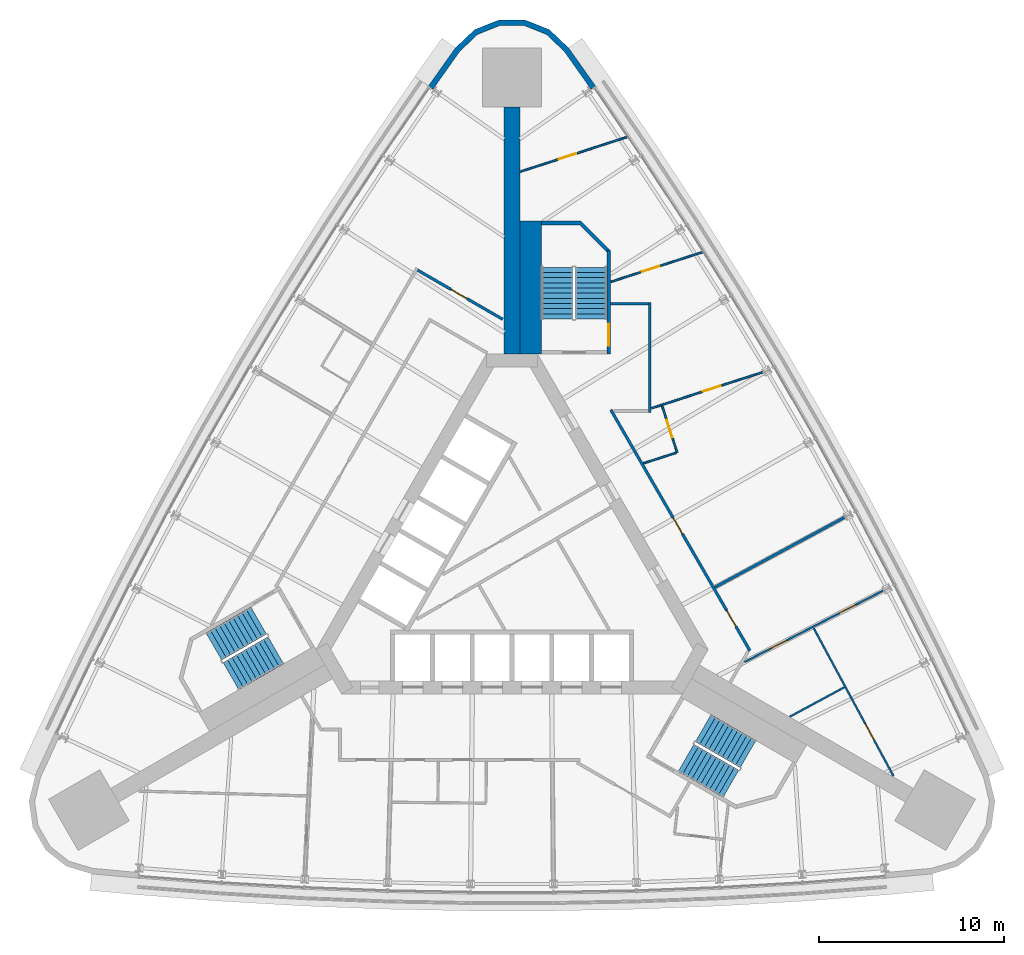
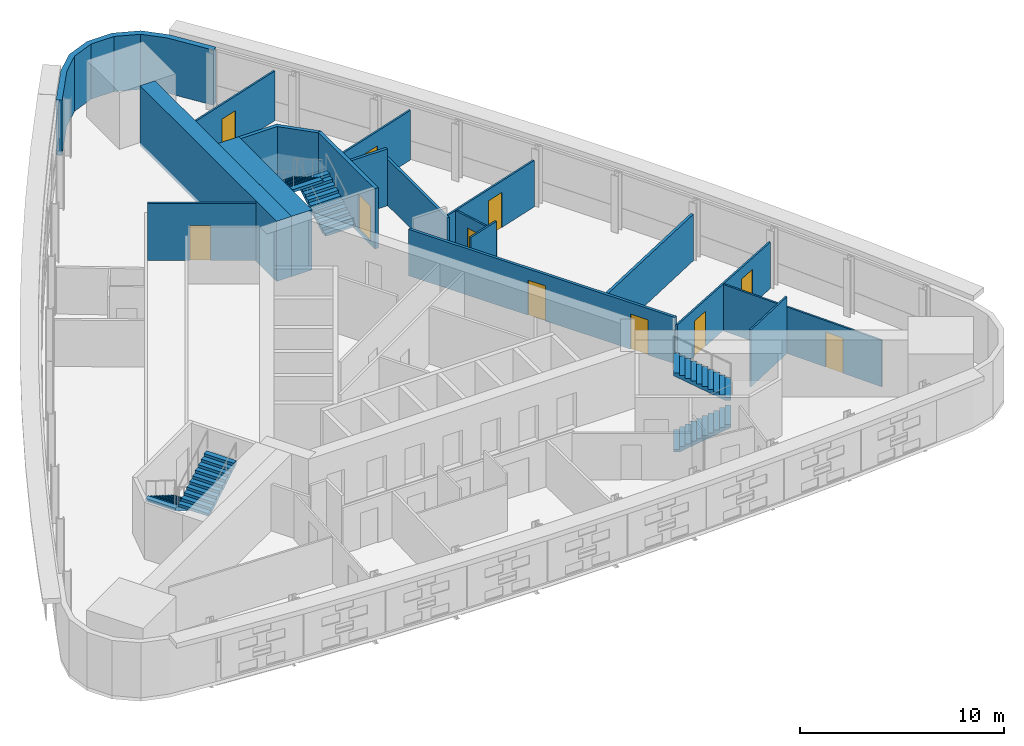
# One storey, part 11 of 14: 18 walls, 11 doors, 6 stair flights, 11 openings, 3 elements without a shape of their own.
"""IFC4 building model written with IfcOpenShell, lengths in metres."""

import ifcopenshell
import ifcopenshell.guid

model = None  # the IFC model being written
_history = None  # IfcOwnerHistory: only IFC2X3 demands one
_inside = {}  # id of a spatial element -> (the spatial element, [elements in it])
_under = {}  # id of a project, library or spatial element -> (it, [spatial elements below it])
_declared = {}  # id of a project -> (the project, [libraries it declares])
_typed = {}  # id of a type object -> (the type object, [elements of that type])
_made_of = {}  # id of a material, layer set ... -> (it, [elements and type objects made of it])


def new_model(schema):
    """Start an empty IFC model of exactly this schema.

    Asked for "IFC4X3", IfcOpenShell would pick the latest addendum, in which some entities
    have other attributes; the version numbers below select the first issue.
    IFC2X3 requires an IfcOwnerHistory on every rooted entity: one is made here for all.
    """
    global model, _history
    if schema == "IFC4X3":
        model = ifcopenshell.file(schema_version=(4, 3, 0, 0))
    else:
        model = ifcopenshell.file(schema=schema)
    _inside.clear()
    _under.clear()
    _declared.clear()
    _typed.clear()
    _made_of.clear()
    _history = None
    if model.schema == "IFC2X3":
        org = make("IfcOrganization", Name="unknown")
        user = make(
            "IfcPersonAndOrganization",
            ThePerson=make("IfcPerson", FamilyName="unknown"),
            TheOrganization=org,
        )
        app = make(
            "IfcApplication",
            ApplicationDeveloper=org,
            Version="unknown",
            ApplicationFullName="unknown",
            ApplicationIdentifier="unknown",
        )
        _history = make(
            "IfcOwnerHistory",
            OwningUser=user,
            OwningApplication=app,
            ChangeAction="ADDED",
            CreationDate=0,
        )
    return model


def make(cls, **values):
    """One entity of the class cls with the attributes given. An attribute that is None is left unset."""
    return model.create_entity(
        cls, **{name: value for name, value in values.items() if value is not None}
    )


def rooted(cls, **values):
    """An entity with a GlobalId (a new one), such as an element, a storey or a relation."""
    return make(cls, GlobalId=ifcopenshell.guid.new(), OwnerHistory=_history, **values)


def si_unit(unit_type, name, prefix=None):
    """IfcSIUnit, for example si_unit("LENGTHUNIT", "METRE", prefix="MILLI")."""
    return make("IfcSIUnit", UnitType=unit_type, Prefix=prefix, Name=name)


def assignment(units):
    """IfcUnitAssignment: the units of a project."""
    return None if units is None else make("IfcUnitAssignment", Units=units)


def point(xyz):
    """IfcCartesianPoint."""
    return None if xyz is None else make("IfcCartesianPoint", Coordinates=xyz)


def direction(xyz):
    """IfcDirection."""
    return None if xyz is None else make("IfcDirection", DirectionRatios=xyz)


def frame(location, z_axis=None, x_axis=None):
    """IfcAxis2Placement3D, a coordinate frame: its origin and axes. An axis left out is left unset."""
    return make(
        "IfcAxis2Placement3D",
        Location=point(location),
        Axis=direction(z_axis),
        RefDirection=direction(x_axis),
    )


def frame_2d(location, x_axis=None):
    """IfcAxis2Placement2D, a coordinate frame in the plane: its origin and x axis."""
    return make(
        "IfcAxis2Placement2D", Location=point(location), RefDirection=direction(x_axis)
    )


def origin():
    """The frame at (0, 0, 0) with its axes left unset."""
    return frame((0.0, 0.0, 0.0))


def place(relative_to, where):
    """IfcLocalPlacement: puts the frame where relative to a parent placement (None: the world)."""
    return make(
        "IfcLocalPlacement", PlacementRelTo=relative_to, RelativePlacement=where
    )


def context(
    kind, dimensions, precision=None, world=None, true_north=None, identifier=None
):
    """IfcGeometricRepresentationContext, for example the 3D "Model" context."""
    return make(
        "IfcGeometricRepresentationContext",
        ContextIdentifier=identifier,
        ContextType=kind,
        CoordinateSpaceDimension=dimensions,
        Precision=precision,
        WorldCoordinateSystem=world,
        TrueNorth=true_north,
    )


def subcontext(parent, identifier, kind, view, scale=None):
    """IfcGeometricRepresentationSubContext, for example "Body" below "Model"."""
    return make(
        "IfcGeometricRepresentationSubContext",
        ContextIdentifier=identifier,
        ContextType=kind,
        ParentContext=parent,
        TargetScale=scale,
        TargetView=view,
    )


def project(units=None, contexts=None):
    """IfcProject with its units and contexts."""
    return rooted(
        "IfcProject",
        Name="project",
        RepresentationContexts=contexts,
        UnitsInContext=assignment(units),
    )


def spatial(cls, under=None, at=None, **own):
    """A site, building, storey or space (cls), placed at a placement, below another one or the project."""
    s = rooted(cls, ObjectPlacement=at, **own)
    if under is not None:
        _under.setdefault(under.id(), (under, []))[1].append(s)
    return s


def polyline(points):
    """IfcPolyline through the points."""
    return make("IfcPolyline", Points=[point(p) for p in points])


def profile(cls, at=None, kind="AREA", **sizes):
    """A parametric profile (cls). Its sizes go by their IFC names, for example OverallWidth=200.0."""
    return make(cls, ProfileType=kind, Position=at, **sizes)


def rectangle(**sizes):
    """IfcRectangleProfileDef."""
    return profile("IfcRectangleProfileDef", **sizes)


def outline(outer, holes=None, kind="AREA"):
    """IfcArbitraryClosedProfileDef: a profile drawn as a closed curve; with holes, ...WithVoids."""
    if holes is None:
        return make("IfcArbitraryClosedProfileDef", ProfileType=kind, OuterCurve=outer)
    return make(
        "IfcArbitraryProfileDefWithVoids",
        ProfileType=kind,
        OuterCurve=outer,
        InnerCurves=holes,
    )


def extrude(swept, where, along, depth):
    """IfcExtrudedAreaSolid: the profile swept, set in the frame where, extruded along a direction by depth."""
    return make(
        "IfcExtrudedAreaSolid",
        SweptArea=swept,
        Position=where,
        ExtrudedDirection=direction(along),
        Depth=depth,
    )


def shape(context_of_items, identifier, shape_type, items):
    """IfcShapeRepresentation: the items that make up one representation, for example the "Body"."""
    return make(
        "IfcShapeRepresentation",
        ContextOfItems=context_of_items,
        RepresentationIdentifier=identifier,
        RepresentationType=shape_type,
        Items=items,
    )


def material(Name=None, Category=None):
    """IfcMaterial."""
    return make("IfcMaterial", Name=Name, Category=Category)


def layer(
    of_material, thickness, ventilated=None, Name=None, Category=None, Priority=None
):
    """IfcMaterialLayer: one layer of a wall or slab, of a material (None: an air gap)."""
    return make(
        "IfcMaterialLayer",
        Material=of_material,
        LayerThickness=thickness,
        IsVentilated=ventilated,
        Name=Name,
        Category=Category,
        Priority=Priority,
    )


def layer_set(layers, Name=None):
    """IfcMaterialLayerSet."""
    return make("IfcMaterialLayerSet", MaterialLayers=layers, LayerSetName=Name)


def made_of(thing, what):
    """Note that an element or type object is made of a material, layer set ...; save() writes the relation."""
    if what is not None:
        _made_of.setdefault(what.id(), (what, []))[1].append(thing)
    return thing


def type_object(cls, material=None, **own):
    """A type object (cls), such as IfcWallType, which elements share."""
    return made_of(rooted(cls, **own), material)


def element(
    cls,
    number,
    at=None,
    inside=None,
    cuts=None,
    type_object=None,
    material=None,
    context=None,
    identifier="Body",
    shape_type=None,
    held_by="IfcProductDefinitionShape",
    body=None,
    shapes=None,
    **own,
):
    """One element of the class cls, such as IfcWall. Its Tag is "e" and its number.

    at: its placement. inside: the storey or other place that contains it. cuts: it is an
    opening in that element (IfcRelVoidsElement). A single representation is given by context,
    identifier, shape_type and body (its items); several are given by shapes. held_by: the class
    of the entity that holds the representations. save() writes the other relations.
    """
    e = rooted(cls, Tag="e%d" % number, ObjectPlacement=at, **own)
    if body is not None:
        shapes = [shape(context, identifier, shape_type, body)]
    if shapes is not None:
        e.Representation = make(held_by, Representations=shapes)
    if inside is not None:
        _inside.setdefault(inside.id(), (inside, []))[1].append(e)
    if cuts is not None:
        rooted(
            "IfcRelVoidsElement", RelatingBuildingElement=cuts, RelatedOpeningElement=e
        )
    if type_object is not None:
        _typed.setdefault(type_object.id(), (type_object, []))[1].append(e)
    return made_of(e, material)


def fill(opening, filler):
    """IfcRelFillsElement: the door or window that sits in an opening."""
    return rooted(
        "IfcRelFillsElement",
        RelatingOpeningElement=opening,
        RelatedBuildingElement=filler,
    )


def aggregate(whole, parts):
    """IfcRelAggregates: a whole, such as a stair, and the parts it consists of."""
    return rooted("IfcRelAggregates", RelatingObject=whole, RelatedObjects=parts)


def save(model, path):
    """Write the relations noted so far, then the file.

    IfcRelAggregates (storeys below a building ...), IfcRelContainedInSpatialStructure (elements
    in a storey), IfcRelDefinesByType, IfcRelAssociatesMaterial and IfcRelDeclares: one each for
    every whole, place, type object, material and project.
    """
    for whole, parts in _under.values():
        aggregate(whole, parts)
    for where, things in _inside.values():
        rooted(
            "IfcRelContainedInSpatialStructure",
            RelatedElements=things,
            RelatingStructure=where,
        )
    for kind, things in _typed.values():
        rooted("IfcRelDefinesByType", RelatedObjects=things, RelatingType=kind)
    for what, things in _made_of.values():
        rooted("IfcRelAssociatesMaterial", RelatedObjects=things, RelatingMaterial=what)
    for by, libraries in _declared.values():
        rooted("IfcRelDeclares", RelatingContext=by, RelatedDefinitions=libraries)
    model.write(path)


model = new_model("IFC4")

# Units and contexts
model_context = context("Model", 3, precision=1e-05, world=origin(), true_north=direction((0.0, 1.0)))
body_context = subcontext(model_context, "Body", "Model", "MODEL_VIEW")
ifc_project = project(units=[si_unit("LENGTHUNIT", "METRE"), si_unit("AREAUNIT", "SQUARE_METRE"), si_unit("VOLUMEUNIT", "CUBIC_METRE"), si_unit("PLANEANGLEUNIT", "RADIAN"), si_unit("MASSUNIT", "GRAM", prefix="KILO")], contexts=[model_context])

# Site, building, storey
site_placement = place(None, origin())
site = spatial("IfcSite", under=ifc_project, at=site_placement, CompositionType="ELEMENT")
building_placement = place(site_placement, origin())
building = spatial("IfcBuilding", under=site, at=building_placement, Name="Noor Cloister Tower", CompositionType="ELEMENT")
storey_placement = place(building_placement, frame((0.0, 0.0, 72.60009765625)))
storey = spatial("IfcBuildingStorey", under=building, at=storey_placement, Name="L18", CompositionType="ELEMENT", Elevation=72.60009765625)

# Wall
ifc_material_1 = material(Name="Concrete C80/95", Category="concrete")
ifc_layer_1 = layer(ifc_material_1, 0.85009765625)
ifc_layer_set_1 = layer_set([ifc_layer_1], Name="Buttress wall 850 C80/95")
wall_type_1 = type_object("IfcWallType", Name="Buttress wall 850 C80/95", PredefinedType="SHEAR", material=ifc_layer_set_1)
wall_1_placement = place(storey_placement, frame((0.0, 11.456298828125, -0.2001953125), z_axis=(0.0, 0.0, 1.0), x_axis=(0.0, 1.0, 0.0)))
element("IfcWall", 1, at=wall_1_placement, inside=storey, type_object=wall_type_1, Name="Buttress wall N L18", PredefinedType="SHEAR", context=body_context, shape_type="SweptSolid", body=[
    extrude(rectangle(XDim=13.381591796875, YDim=0.85009765625, at=frame_2d((6.69091796875, 0.0))), origin(), (0.0, 0.0, 1.0), 3.60009765625),
])

# Wall, openings, doors
ifc_material_2 = material(Name="Gypsum board partition on steel studs, 150 mm", Category="steel")
ifc_layer_2 = layer(ifc_material_2, 0.14990234375)
ifc_layer_set_2 = layer_set([ifc_layer_2], Name="Flat wall 150")
wall_type_2 = type_object("IfcWallType", Name="Flat wall 150", PredefinedType="PARTITIONING", material=ifc_layer_set_2)
wall_2_placement = place(storey_placement, frame((5.34619140625, 8.4462890625, 0.0), z_axis=(0.0, 0.0, 1.0), x_axis=(0.500008781656, -0.866020333634, 0.0)))
wall_2 = element("IfcWall", 2, at=wall_2_placement, inside=storey, type_object=wall_type_2, Name="Flat wall 150 L18 003", PredefinedType="PARTITIONING", context=body_context, shape_type="SweptSolid", body=[
    extrude(rectangle(XDim=15.056884765625, YDim=0.14990234375, at=frame_2d((7.5283203125, 0.0))), origin(), (0.0, 0.0, 1.0), 2.77783203125),
])
opening_1_placement = place(wall_2_placement, frame((12.55029296875, 0.0, 0.0)))
opening_1 = element("IfcOpeningElement", 3, at=opening_1_placement, cuts=wall_2, Name="Opening L18-004", PredefinedType="OPENING", context=body_context, shape_type="SweptSolid", body=[
    extrude(rectangle(XDim=1.0, YDim=2.10009765625, at=frame_2d((0.5, 1.050048828125))), frame((0.0, 0.0849609375, 0.0), z_axis=(0.0, -1.0, 0.0), x_axis=(1.0, 0.0, 0.0)), (0.0, 0.0, 1.0), 0.169921875),
])
opening_2_placement = place(wall_2_placement, frame((6.752685546875, 0.0, 0.0)))
opening_2 = element("IfcOpeningElement", 4, at=opening_2_placement, cuts=wall_2, Name="Opening L18-005", PredefinedType="OPENING", context=body_context, shape_type="SweptSolid", body=[
    extrude(rectangle(XDim=1.0, YDim=2.10009765625, at=frame_2d((0.5, 1.050048828125))), frame((0.0, 0.0849609375, 0.0), z_axis=(0.0, -1.0, 0.0), x_axis=(1.0, 0.0, 0.0)), (0.0, 0.0, 1.0), 0.169921875),
])
ifc_material_3 = material(Name="Timber door leaf with steel frame", Category="steel")
door_type_1 = type_object("IfcDoorType", Name="Flat entrance door 1000 FD60S", OperationType="NOTDEFINED", PredefinedType="DOOR", material=ifc_material_3)
door_1_placement = place(opening_1_placement, origin())
door_1 = element("IfcDoor", 5, at=door_1_placement, inside=storey, type_object=door_type_1, Name="Flat entrance door 1000 L18-004", OperationType="SINGLE_SWING_RIGHT", OverallHeight=2.10009765625, OverallWidth=1.0, PredefinedType="DOOR", context=body_context, shape_type="SweptSolid", body=[
    extrude(rectangle(XDim=1.0, YDim=2.10009765625, at=frame_2d((0.5, 1.050048828125))), frame((0.0, 0.02490234375, 0.0), z_axis=(0.0, -1.0, 0.0), x_axis=(1.0, 0.0, 0.0)), (0.0, 0.0, 1.0), 0.050048828125),
])
fill(opening_1, door_1)
door_2_placement = place(opening_2_placement, origin())
door_2 = element("IfcDoor", 6, at=door_2_placement, inside=storey, type_object=door_type_1, Name="Flat entrance door 1000 L18-005", OperationType="SINGLE_SWING_LEFT", OverallHeight=2.10009765625, OverallWidth=1.0, PredefinedType="DOOR", context=body_context, shape_type="SweptSolid", body=[
    extrude(rectangle(XDim=1.0, YDim=2.10009765625, at=frame_2d((0.5, 1.050048828125))), frame((0.0, 0.02490234375, 0.0), z_axis=(0.0, -1.0, 0.0), x_axis=(1.0, 0.0, 0.0)), (0.0, 0.0, 1.0), 0.050048828125),
])
fill(opening_2, door_2)

# Wall
wall_3_placement = place(storey_placement, frame((7.460693359375, 8.306396484375, 0.0), z_axis=(0.0, 0.0, 1.0), x_axis=(0.0, 1.0, 0.0)))
element("IfcWall", 7, at=wall_3_placement, inside=storey, type_object=wall_type_2, Name="Flat wall 150 L18 005", PredefinedType="PARTITIONING", context=body_context, shape_type="SweptSolid", body=[
    extrude(rectangle(XDim=5.949951171875, YDim=0.14990234375, at=frame_2d((2.97509765625, 0.0))), origin(), (0.0, 0.0, 1.0), 2.77783203125),
])

# Wall, opening, door
wall_4_placement = place(storey_placement, frame((-5.111328125, 16.00341796875, 0.0), z_axis=(0.0, 0.0, 1.0), x_axis=(0.866034245675, -0.499984685083, 0.0)))
wall_4 = element("IfcWall", 8, at=wall_4_placement, inside=storey, type_object=wall_type_2, Name="Flat wall 150 L18 007", PredefinedType="PARTITIONING", context=body_context, shape_type="SweptSolid", body=[
    extrude(rectangle(XDim=5.319091796875, YDim=0.14990234375, at=frame_2d((2.65966796875, 0.0))), origin(), (0.0, 0.0, 1.0), 3.39990234375),
])
opening_3_placement = place(wall_4_placement, frame((2.08447265625, 0.0, 0.0)))
opening_3 = element("IfcOpeningElement", 9, at=opening_3_placement, cuts=wall_4, Name="Opening L18-011", PredefinedType="OPENING", context=body_context, shape_type="SweptSolid", body=[
    extrude(rectangle(XDim=1.0, YDim=2.10009765625, at=frame_2d((0.5, 1.050048828125))), frame((0.0, 0.0849609375, 0.0), z_axis=(0.0, -1.0, 0.0), x_axis=(1.0, 0.0, 0.0)), (0.0, 0.0, 1.0), 0.169921875),
])
ifc_material_4 = material(Name="Timber door leaf with steel frame", Category="steel")
door_type_2 = type_object("IfcDoorType", Name="Interior door 1000 FD60", OperationType="NOTDEFINED", PredefinedType="DOOR", material=ifc_material_4)
door_3_placement = place(opening_3_placement, origin())
door_3 = element("IfcDoor", 10, at=door_3_placement, inside=storey, type_object=door_type_2, Name="Interior door 1000 L18-011", OperationType="SINGLE_SWING_LEFT", OverallHeight=2.10009765625, OverallWidth=1.0, PredefinedType="DOOR", context=body_context, shape_type="SweptSolid", body=[
    extrude(rectangle(XDim=1.0, YDim=2.10009765625, at=frame_2d((0.5, 1.050048828125))), frame((0.0, 0.02490234375, 0.0), z_axis=(0.0, -1.0, 0.0), x_axis=(1.0, 0.0, 0.0)), (0.0, 0.0, 1.0), 0.050048828125),
])
fill(opening_3, door_3)

# Walls
wall_5_placement = place(storey_placement, frame((5.335693359375, 14.181396484375, 0.0), z_axis=(0.0, 0.0, 1.0), x_axis=(1.0, 0.0, 0.0)))
element("IfcWall", 11, at=wall_5_placement, inside=storey, type_object=wall_type_2, Name="Flat wall 150 L18 009", PredefinedType="PARTITIONING", context=body_context, shape_type="SweptSolid", body=[
    extrude(rectangle(XDim=2.0498046875, YDim=0.14990234375, at=frame_2d((1.02490234375, 0.0))), origin(), (0.0, 0.0, 1.0), 3.39990234375),
])
wall_6_placement = place(storey_placement, frame((17.98291015625, 2.6162109375, 0.0), z_axis=(0.0, 0.0, 1.0), x_axis=(-0.880118053528, -0.474754896608, 0.0)))
element("IfcWall", 12, at=wall_6_placement, inside=storey, type_object=wall_type_2, Name="Flat wall 150 L18 016", PredefinedType="PARTITIONING", context=body_context, shape_type="SweptSolid", body=[
    extrude(rectangle(XDim=7.954833984375, YDim=0.14990234375, at=frame_2d((3.9775390625, 0.0))), origin(), (0.0, 0.0, 1.0), 2.77783203125),
])
ifc_material_5 = material(Name="Limestone", Category="masonry")
ifc_layer_3 = layer(ifc_material_5, 0.300048828125)
ifc_layer_set_3 = layer_set([ifc_layer_3], Name="Limestone cladding 300")
wall_type_3 = type_object("IfcWallType", Name="Limestone cladding 300", PredefinedType="NOTDEFINED", material=ifc_layer_set_3)
wall_7_placement = place(storey_placement, origin())
element("IfcWall", 13, at=wall_7_placement, inside=storey, type_object=wall_type_3, Name="Limestone pier cladding L18 3.1", PredefinedType="NOTDEFINED", context=body_context, shape_type="SweptSolid", body=[
    extrude(outline(polyline([(4.524169921875, 25.96533203125), (3.05908203125, 28.035888671875), (2.029052734375, 29.013916015625), (0.710205078125, 29.540283203125), (-0.710205078125, 29.540283203125), (-2.029052734375, 29.013916015625), (-3.05908203125, 28.035888671875), (-4.524169921875, 25.96533203125), (-4.279296875, 25.7919921875), (-2.8310546875, 27.838623046875), (-1.864501953125, 28.756591796875), (-0.65234375, 29.240478515625), (0.65234375, 29.240478515625), (1.864501953125, 28.756591796875), (2.8310546875, 27.838623046875), (4.279296875, 25.7919921875), (4.524169921875, 25.96533203125)])), origin(), (0.0, 0.0, 1.0), 3.2998046875),
])

# Wall, opening, door
ifc_material_6 = material(Name="Gypsum board partition on steel studs, 100 mm", Category="steel")
ifc_layer_4 = layer(ifc_material_6, 0.10009765625)
ifc_layer_set_4 = layer_set([ifc_layer_4], Name="Partition 100")
wall_type_4 = type_object("IfcWallType", Name="Partition 100", PredefinedType="PARTITIONING", material=ifc_layer_set_4)
wall_8_placement = place(storey_placement, frame((20.64599609375, -11.380126953125, 0.0), z_axis=(0.0, 0.0, 1.0), x_axis=(-0.474727306664, 0.880132935588, 0.0)))
wall_8 = element("IfcWall", 14, at=wall_8_placement, inside=storey, type_object=wall_type_4, Name="Partition 100 L18 021", PredefinedType="PARTITIONING", context=body_context, shape_type="SweptSolid", body=[
    extrude(rectangle(XDim=9.093505859375, YDim=0.10009765625, at=frame_2d((4.546875, 0.0))), origin(), (0.0, 0.0, 1.0), 2.77783203125),
])
opening_4_placement = place(wall_8_placement, frame((2.2216796875, 0.0, 0.0)))
opening_4 = element("IfcOpeningElement", 15, at=opening_4_placement, cuts=wall_8, Name="Opening L18-012", PredefinedType="OPENING", context=body_context, shape_type="SweptSolid", body=[
    extrude(rectangle(XDim=1.0, YDim=2.10009765625, at=frame_2d((0.5, 1.050048828125))), frame((0.0, 0.06005859375, 0.0), z_axis=(0.0, -1.0, 0.0), x_axis=(1.0, 0.0, 0.0)), (0.0, 0.0, 1.0), 0.1201171875),
])
ifc_material_7 = material(Name="Timber door leaf with steel frame", Category="steel")
door_type_3 = type_object("IfcDoorType", Name="Interior door 1000", OperationType="NOTDEFINED", PredefinedType="DOOR", material=ifc_material_7)
door_4_placement = place(opening_4_placement, origin())
door_4 = element("IfcDoor", 16, at=door_4_placement, inside=storey, type_object=door_type_3, Name="Interior door 1000 L18-012", OperationType="SINGLE_SWING_LEFT", OverallHeight=2.10009765625, OverallWidth=1.0, PredefinedType="DOOR", context=body_context, shape_type="SweptSolid", body=[
    extrude(rectangle(XDim=1.0, YDim=2.10009765625, at=frame_2d((0.5, 1.050048828125))), frame((0.0, 0.02490234375, 0.0), z_axis=(0.0, -1.0, 0.0), x_axis=(1.0, 0.0, 0.0)), (0.0, 0.0, 1.0), 0.050048828125),
])
fill(opening_4, door_4)

# Wall, openings, doors
wall_9_placement = place(storey_placement, frame((20.07373046875, -1.351318359375, 0.0), z_axis=(0.0, 0.0, 1.0), x_axis=(-0.88912315758, -0.457668013582, 0.0)))
wall_9 = element("IfcWall", 17, at=wall_9_placement, inside=storey, type_object=wall_type_4, Name="Partition 100 L18 023", PredefinedType="PARTITIONING", context=body_context, shape_type="SweptSolid", body=[
    extrude(rectangle(XDim=8.428955078125, YDim=0.10009765625, at=frame_2d((4.21435546875, 0.0))), origin(), (0.0, 0.0, 1.0), 2.77783203125),
])
opening_5_placement = place(wall_9_placement, frame((5.8681640625, 0.0, 0.0)))
opening_5 = element("IfcOpeningElement", 18, at=opening_5_placement, cuts=wall_9, Name="Opening L18-013", PredefinedType="OPENING", context=body_context, shape_type="SweptSolid", body=[
    extrude(rectangle(XDim=1.0, YDim=2.10009765625, at=frame_2d((0.5, 1.050048828125))), frame((0.0, 0.06005859375, 0.0), z_axis=(0.0, -1.0, 0.0), x_axis=(1.0, 0.0, 0.0)), (0.0, 0.0, 1.0), 0.1201171875),
])
opening_6_placement = place(wall_9_placement, frame((1.635009765625, 0.0, 0.0)))
opening_6 = element("IfcOpeningElement", 19, at=opening_6_placement, cuts=wall_9, Name="Opening L18-014", PredefinedType="OPENING", context=body_context, shape_type="SweptSolid", body=[
    extrude(rectangle(XDim=1.0, YDim=2.10009765625, at=frame_2d((0.5, 1.050048828125))), frame((0.0, 0.06005859375, 0.0), z_axis=(0.0, -1.0, 0.0), x_axis=(1.0, 0.0, 0.0)), (0.0, 0.0, 1.0), 0.1201171875),
])
door_5_placement = place(opening_5_placement, origin())
door_5 = element("IfcDoor", 20, at=door_5_placement, inside=storey, type_object=door_type_3, Name="Interior door 1000 L18-013", OperationType="SINGLE_SWING_RIGHT", OverallHeight=2.10009765625, OverallWidth=1.0, PredefinedType="DOOR", context=body_context, shape_type="SweptSolid", body=[
    extrude(rectangle(XDim=1.0, YDim=2.10009765625, at=frame_2d((0.5, 1.050048828125))), frame((0.0, 0.02490234375, 0.0), z_axis=(0.0, -1.0, 0.0), x_axis=(1.0, 0.0, 0.0)), (0.0, 0.0, 1.0), 0.050048828125),
])
fill(opening_5, door_5)
door_6_placement = place(opening_6_placement, origin())
door_6 = element("IfcDoor", 21, at=door_6_placement, inside=storey, type_object=door_type_3, Name="Interior door 1000 L18-014", OperationType="SINGLE_SWING_LEFT", OverallHeight=2.10009765625, OverallWidth=1.0, PredefinedType="DOOR", context=body_context, shape_type="SweptSolid", body=[
    extrude(rectangle(XDim=1.0, YDim=2.10009765625, at=frame_2d((0.5, 1.050048828125))), frame((0.0, 0.02490234375, 0.0), z_axis=(0.0, -1.0, 0.0), x_axis=(1.0, 0.0, 0.0)), (0.0, 0.0, 1.0), 0.050048828125),
])
fill(opening_6, door_6)

# Wall, opening, door
wall_10_placement = place(storey_placement, frame((7.551025390625, 8.52880859375, 0.0), z_axis=(0.0, 0.0, 1.0), x_axis=(0.951171490306, 0.308662916511, 0.0)))
wall_10 = element("IfcWall", 22, at=wall_10_placement, inside=storey, type_object=wall_type_4, Name="Partition 100 L18 025", PredefinedType="PARTITIONING", context=body_context, shape_type="SweptSolid", body=[
    extrude(rectangle(XDim=6.301513671875, YDim=0.10009765625, at=frame_2d((3.15087890625, 0.0))), origin(), (0.0, 0.0, 1.0), 2.77783203125),
])
opening_7_placement = place(wall_10_placement, frame((2.935791015625, 0.0, 0.0)))
opening_7 = element("IfcOpeningElement", 23, at=opening_7_placement, cuts=wall_10, Name="Opening L18-017", PredefinedType="OPENING", context=body_context, shape_type="SweptSolid", body=[
    extrude(rectangle(XDim=1.0, YDim=2.10009765625, at=frame_2d((0.5, 1.050048828125))), frame((0.0, 0.06005859375, 0.0), z_axis=(0.0, -1.0, 0.0), x_axis=(1.0, 0.0, 0.0)), (0.0, 0.0, 1.0), 0.1201171875),
])
door_7_placement = place(opening_7_placement, origin())
door_7 = element("IfcDoor", 24, at=door_7_placement, inside=storey, type_object=door_type_3, Name="Interior door 1000 L18-017", OperationType="SINGLE_SWING_RIGHT", OverallHeight=2.10009765625, OverallWidth=1.0, PredefinedType="DOOR", context=body_context, shape_type="SweptSolid", body=[
    extrude(rectangle(XDim=1.0, YDim=2.10009765625, at=frame_2d((0.5, 1.050048828125))), frame((0.0, 0.02490234375, 0.0), z_axis=(0.0, -1.0, 0.0), x_axis=(1.0, 0.0, 0.0)), (0.0, 0.0, 1.0), 0.050048828125),
])
fill(opening_7, door_7)

wall_11_placement = place(storey_placement, frame((0.4404296875, 21.329345703125, 0.0), z_axis=(0.0, 0.0, 1.0), x_axis=(0.951171830883, 0.308661866992, 0.0)))
wall_11 = element("IfcWall", 25, at=wall_11_placement, inside=storey, type_object=wall_type_4, Name="Partition 100 L18 026", PredefinedType="PARTITIONING", context=body_context, shape_type="SweptSolid", body=[
    extrude(rectangle(XDim=6.077880859375, YDim=0.10009765625, at=frame_2d((3.0390625, 0.0))), origin(), (0.0, 0.0, 1.0), 2.973876953125),
])
opening_8_placement = place(wall_11_placement, frame((2.197265625, 0.0, 0.0)))
opening_8 = element("IfcOpeningElement", 26, at=opening_8_placement, cuts=wall_11, Name="Opening L18-018", PredefinedType="OPENING", context=body_context, shape_type="SweptSolid", body=[
    extrude(rectangle(XDim=1.0, YDim=2.10009765625, at=frame_2d((0.5, 1.050048828125))), frame((0.0, 0.06005859375, 0.0), z_axis=(0.0, -1.0, 0.0), x_axis=(1.0, 0.0, 0.0)), (0.0, 0.0, 1.0), 0.1201171875),
])
door_8_placement = place(opening_8_placement, origin())
door_8 = element("IfcDoor", 27, at=door_8_placement, inside=storey, type_object=door_type_3, Name="Interior door 1000 L18-018", OperationType="SINGLE_SWING_LEFT", OverallHeight=2.10009765625, OverallWidth=1.0, PredefinedType="DOOR", context=body_context, shape_type="SweptSolid", body=[
    extrude(rectangle(XDim=1.0, YDim=2.10009765625, at=frame_2d((0.5, 1.050048828125))), frame((0.0, 0.02490234375, 0.0), z_axis=(0.0, -1.0, 0.0), x_axis=(1.0, 0.0, 0.0)), (0.0, 0.0, 1.0), 0.050048828125),
])
fill(opening_8, door_8)

wall_12_placement = place(storey_placement, frame((5.35107421875, 15.368896484375, 0.0), z_axis=(0.0, 0.0, 1.0), x_axis=(0.951165555735, 0.308681203807, 0.0)))
wall_12 = element("IfcWall", 28, at=wall_12_placement, inside=storey, type_object=wall_type_4, Name="Partition 100 L18 028", PredefinedType="PARTITIONING", context=body_context, shape_type="SweptSolid", body=[
    extrude(rectangle(XDim=5.208984375, YDim=0.10009765625, at=frame_2d((2.6044921875, 0.0))), origin(), (0.0, 0.0, 1.0), 2.973876953125),
])
opening_9_placement = place(wall_12_placement, frame((1.76611328125, 0.0, 0.0)))
opening_9 = element("IfcOpeningElement", 29, at=opening_9_placement, cuts=wall_12, Name="Opening L18-019", PredefinedType="OPENING", context=body_context, shape_type="SweptSolid", body=[
    extrude(rectangle(XDim=1.0, YDim=2.10009765625, at=frame_2d((0.5, 1.050048828125))), frame((0.0, 0.06005859375, 0.0), z_axis=(0.0, -1.0, 0.0), x_axis=(1.0, 0.0, 0.0)), (0.0, 0.0, 1.0), 0.1201171875),
])
door_9_placement = place(opening_9_placement, origin())
door_9 = element("IfcDoor", 30, at=door_9_placement, inside=storey, type_object=door_type_3, Name="Interior door 1000 L18-019", OperationType="SINGLE_SWING_LEFT", OverallHeight=2.10009765625, OverallWidth=1.0, PredefinedType="DOOR", context=body_context, shape_type="SweptSolid", body=[
    extrude(rectangle(XDim=1.0, YDim=2.10009765625, at=frame_2d((0.5, 1.050048828125))), frame((0.0, 0.02490234375, 0.0), z_axis=(0.0, -1.0, 0.0), x_axis=(1.0, 0.0, 0.0)), (0.0, 0.0, 1.0), 0.050048828125),
])
fill(opening_9, door_9)

# Wall
wall_13_placement = place(storey_placement, frame((17.993896484375, -6.56884765625, 0.0), z_axis=(0.0, 0.0, 1.0), x_axis=(-0.880148573472, -0.474698313263, 0.0)))
element("IfcWall", 31, at=wall_13_placement, inside=storey, type_object=wall_type_4, Name="Partition 100 L18 030", PredefinedType="PARTITIONING", context=body_context, shape_type="SweptSolid", body=[
    extrude(rectangle(XDim=3.3564453125, YDim=0.10009765625, at=frame_2d((1.67822265625, 0.0))), origin(), (0.0, 0.0, 1.0), 3.39990234375),
])

# Wall, opening, door
wall_14_placement = place(storey_placement, frame((8.9384765625, 6.140380859375, 0.0), z_axis=(0.0, 0.0, 1.0), x_axis=(-0.308644385593, 0.951177503541, 0.0)))
wall_14 = element("IfcWall", 32, at=wall_14_placement, inside=storey, type_object=wall_type_4, Name="Partition 100 L18 031", PredefinedType="PARTITIONING", context=body_context, shape_type="SweptSolid", body=[
    extrude(rectangle(XDim=2.64990234375, YDim=0.10009765625, at=frame_2d((1.324951171875, 0.0))), origin(), (0.0, 0.0, 1.0), 2.77783203125),
])
opening_10_placement = place(wall_14_placement, frame((0.85009765625, 0.0, 0.0)))
opening_10 = element("IfcOpeningElement", 33, at=opening_10_placement, cuts=wall_14, Name="Opening L18-021", PredefinedType="OPENING", context=body_context, shape_type="SweptSolid", body=[
    extrude(rectangle(XDim=1.0, YDim=2.10009765625, at=frame_2d((0.5, 1.050048828125))), frame((0.0, 0.06005859375, 0.0), z_axis=(0.0, -1.0, 0.0), x_axis=(1.0, 0.0, 0.0)), (0.0, 0.0, 1.0), 0.1201171875),
])
door_10_placement = place(opening_10_placement, origin())
door_10 = element("IfcDoor", 34, at=door_10_placement, inside=storey, type_object=door_type_3, Name="Interior door 1000 L18-021", OperationType="SINGLE_SWING_RIGHT", OverallHeight=2.10009765625, OverallWidth=1.0, PredefinedType="DOOR", context=body_context, shape_type="SweptSolid", body=[
    extrude(rectangle(XDim=1.0, YDim=2.10009765625, at=frame_2d((0.5, 1.050048828125))), frame((0.0, 0.02490234375, 0.0), z_axis=(0.0, -1.0, 0.0), x_axis=(1.0, 0.0, 0.0)), (0.0, 0.0, 1.0), 0.050048828125),
])
fill(opening_10, door_10)

# Walls
wall_15_placement = place(storey_placement, frame((7.117431640625, 5.54931640625, 0.0), z_axis=(0.0, 0.0, 1.0), x_axis=(0.951141782181, 0.308754449667, 0.0)))
element("IfcWall", 35, at=wall_15_placement, inside=storey, type_object=wall_type_4, Name="Partition 100 L18 036", PredefinedType="PARTITIONING", context=body_context, shape_type="SweptSolid", body=[
    extrude(rectangle(XDim=1.864501953125, YDim=0.10009765625, at=frame_2d((0.93212890625, 0.0))), origin(), (0.0, 0.0, 1.0), 3.39990234375),
])
ifc_material_8 = material(Name="Concrete C80/95", Category="concrete")
ifc_layer_5 = layer(ifc_material_8, 1.160888671875)
ifc_layer_set_5 = layer_set([ifc_layer_5], Name="Stair enclosure wall 1161 C80/95")
wall_type_5 = type_object("IfcWallType", Name="Stair enclosure wall 1161 C80/95", PredefinedType="SHEAR", material=ifc_layer_set_5)
wall_16_placement = place(storey_placement, frame((1.00537109375, 11.456298828125, -0.2001953125), z_axis=(0.0, 0.0, 1.0), x_axis=(0.0, 1.0, 0.0)))
element("IfcWall", 36, at=wall_16_placement, inside=storey, type_object=wall_type_5, Name="Stair enclosure wall ST1 L18 riser side", PredefinedType="SHEAR", context=body_context, shape_type="SweptSolid", body=[
    extrude(rectangle(XDim=7.2001953125, YDim=1.16064453125, at=frame_2d((3.60009765625, 0.0))), origin(), (0.0, 0.0, 1.0), 3.60009765625),
])

# Wall, opening, door
ifc_material_9 = material(Name="Concrete C80/95", Category="concrete")
ifc_layer_6 = layer(ifc_material_9, 0.199951171875)
ifc_layer_set_6 = layer_set([ifc_layer_6], Name="Stair enclosure wall 200 C80/95")
wall_type_6 = type_object("IfcWallType", Name="Stair enclosure wall 200 C80/95", PredefinedType="SHEAR", material=ifc_layer_set_6)
wall_17_placement = place(storey_placement, frame((5.235595703125, 11.456298828125, -0.2001953125), z_axis=(0.0, 0.0, 1.0), x_axis=(0.0, 1.0, 0.0)))
wall_17 = element("IfcWall", 37, at=wall_17_placement, inside=storey, type_object=wall_type_6, Name="Stair enclosure wall ST1 L18 outer side", PredefinedType="SHEAR", context=body_context, shape_type="SweptSolid", body=[
    extrude(rectangle(XDim=5.60009765625, YDim=0.199951171875, at=frame_2d((2.800048828125, 0.0))), origin(), (0.0, 0.0, 1.0), 3.60009765625),
])
opening_11_placement = place(wall_17_placement, frame((0.449951171875, 0.0, 0.199951171875)))
opening_11 = element("IfcOpeningElement", 38, at=opening_11_placement, cuts=wall_17, Name="Opening L18-ST1C", PredefinedType="OPENING", context=body_context, shape_type="SweptSolid", body=[
    extrude(rectangle(XDim=1.199951171875, YDim=2.10009765625, at=frame_2d((0.60009765625, 1.050048828125))), frame((0.0, 0.10986328125, 0.0), z_axis=(0.0, -1.0, 0.0), x_axis=(1.0, 0.0, 0.0)), (0.0, 0.0, 1.0), 0.219970703125),
])
ifc_material_10 = material(Name="Steel", Category="steel")
door_type_4 = type_object("IfcDoorType", Name="Stair door 1200 x 2100 FD120", OperationType="SINGLE_SWING_LEFT", PredefinedType="DOOR", material=ifc_material_10)
door_11_placement = place(opening_11_placement, origin())
door_11 = element("IfcDoor", 39, at=door_11_placement, inside=storey, type_object=door_type_4, Name="Stair door ST1 L18", OperationType="SINGLE_SWING_LEFT", OverallHeight=2.10009765625, OverallWidth=1.199951171875, PredefinedType="DOOR", context=body_context, shape_type="SweptSolid", body=[
    extrude(rectangle(XDim=1.199951171875, YDim=2.10009765625, at=frame_2d((0.60009765625, 1.050048828125))), frame((0.0, 0.02490234375, 0.0), z_axis=(0.0, -1.0, 0.0), x_axis=(1.0, 0.0, 0.0)), (0.0, 0.0, 1.0), 0.050048828125),
])
fill(opening_11, door_11)

# Wall
ifc_material_11 = material(Name="Concrete C80/95", Category="concrete")
wall_type_7 = type_object("IfcWallType", Name="Stair far end wall C80/95", PredefinedType="SHEAR", material=ifc_material_11)
wall_18_placement = place(storey_placement, frame((0.0, 0.0, -0.2001953125)))
element("IfcWall", 40, at=wall_18_placement, inside=storey, type_object=wall_type_7, Name="Stair enclosure wall ST1 L18 far end", PredefinedType="SHEAR", context=body_context, shape_type="SweptSolid", body=[
    extrude(outline(polyline([(5.335693359375, 17.056396484375), (3.735595703125, 18.656494140625), (1.585693359375, 18.656494140625), (1.585693359375, 18.456298828125), (3.65283203125, 18.456298828125), (5.135498046875, 16.9736328125), (5.135498046875, 17.056396484375), (5.135498046875, 17.056396484375), (5.135498046875, 17.056396484375), (5.135498046875, 17.056396484375), (5.135498046875, 17.056396484375), (5.135498046875, 17.056396484375), (5.135498046875, 17.056396484375), (5.135498046875, 17.056396484375), (5.135498046875, 17.056396484375), (5.135498046875, 17.056396484375), (5.135498046875, 17.056396484375), (5.135498046875, 17.056396484375), (5.135498046875, 17.056396484375), (5.135498046875, 17.056396484375), (5.135498046875, 17.056396484375), (5.135498046875, 17.056396484375), (5.135498046875, 17.056396484375), (5.335693359375, 17.056396484375)])), origin(), (0.0, 0.0, 1.0), 3.60009765625),
])

# Stair, stair flights
ifc_material_12 = material(Name="Concrete C40/50", Category="concrete")
stair_type = type_object("IfcStairType", Name="Exit stair 22 risers", PredefinedType="HALF_TURN_STAIR", material=ifc_material_12)
stair_1_placement = place(storey_placement, origin())
stair_1 = element("IfcStair", 41, at=stair_1_placement, inside=storey, type_object=stair_type, Name="Exit stair ST1 L18", PredefinedType="HALF_TURN_STAIR")
ifc_material_13 = material(Name="Concrete C40/50", Category="concrete")
stair_flight_type = type_object("IfcStairFlightType", Name="Exit stair flight", PredefinedType="STRAIGHT", material=ifc_material_13)
stair_flight_1_placement = place(storey_placement, frame((4.28564453125, 13.3564453125, 0.0), z_axis=(0.0, 0.0, 1.0), x_axis=(0.0, 1.0, 0.0)))
stair_flight_1 = element("IfcStairFlight", 42, at=stair_flight_1_placement, type_object=stair_flight_type, Name="ST1 flight 1", NumberOfRisers=11, NumberOfTreads=10, PredefinedType="STRAIGHT", RiserHeight=0.163636364, TreadLength=0.28, context=body_context, shape_type="SweptSolid", body=[
    extrude(outline(polyline([(0.0, 0.0), (0.0, 0.16357421875), (0.280029296875, 0.16357421875), (0.280029296875, 0.327392578125), (0.56005859375, 0.327392578125), (0.56005859375, 0.490966796875), (0.840087890625, 0.490966796875), (0.840087890625, 0.654541015625), (1.1201171875, 0.654541015625), (1.1201171875, 0.818115234375), (1.39990234375, 0.818115234375), (1.39990234375, 0.98193359375), (1.679931640625, 0.98193359375), (1.679931640625, 1.1455078125), (1.9599609375, 1.1455078125), (1.9599609375, 1.30908203125), (2.239990234375, 1.30908203125), (2.239990234375, 1.47265625), (2.52001953125, 1.47265625), (2.52001953125, 1.636474609375), (2.800048828125, 1.636474609375), (2.800048828125, 1.800048828125), (2.800048828125, 1.462646484375), (0.297119140625, 0.0), (0.0, 0.0)])), frame((0.0, 0.85009765625, 0.0), z_axis=(0.0, -1.0, 0.0), x_axis=(1.0, 0.0, 0.0)), (0.0, 0.0, 1.0), 1.699951171875),
])
stair_flight_2_placement = place(storey_placement, frame((2.435546875, 16.156494140625, 1.7998046875), z_axis=(0.0, 0.0, 1.0), x_axis=(0.0, -1.0, 0.0)))
stair_flight_2 = element("IfcStairFlight", 43, at=stair_flight_2_placement, type_object=stair_flight_type, Name="ST1 flight 2", NumberOfRisers=11, NumberOfTreads=10, PredefinedType="STRAIGHT", RiserHeight=0.163636364, TreadLength=0.28, context=body_context, shape_type="SweptSolid", body=[
    extrude(outline(polyline([(0.0, 0.0), (0.0, 0.16357421875), (0.280029296875, 0.16357421875), (0.280029296875, 0.327392578125), (0.56005859375, 0.327392578125), (0.56005859375, 0.490966796875), (0.840087890625, 0.490966796875), (0.840087890625, 0.654541015625), (1.1201171875, 0.654541015625), (1.1201171875, 0.818115234375), (1.39990234375, 0.818115234375), (1.39990234375, 0.98193359375), (1.679931640625, 0.98193359375), (1.679931640625, 1.1455078125), (1.9599609375, 1.1455078125), (1.9599609375, 1.30908203125), (2.239990234375, 1.30908203125), (2.239990234375, 1.47265625), (2.52001953125, 1.47265625), (2.52001953125, 1.636474609375), (2.800048828125, 1.636474609375), (2.800048828125, 1.800048828125), (2.800048828125, 1.462646484375), (0.297119140625, 0.0), (0.0, 0.0)])), frame((0.0, 0.85009765625, 0.0), z_axis=(0.0, -1.0, 0.0), x_axis=(1.0, 0.0, 0.0)), (0.0, 0.0, 1.0), 1.699951171875),
])
aggregate(stair_1, [stair_flight_1, stair_flight_2])

stair_2_placement = place(storey_placement, origin())
stair_2 = element("IfcStair", 44, at=stair_2_placement, inside=storey, type_object=stair_type, Name="Exit stair ST2 L18", PredefinedType="HALF_TURN_STAIR")
stair_flight_3_placement = place(storey_placement, frame((-13.709716796875, -2.966796875, 0.0), z_axis=(0.0, 0.0, 1.0), x_axis=(-0.866025403784, -0.5, 0.0)))
stair_flight_3 = element("IfcStairFlight", 45, at=stair_flight_3_placement, type_object=stair_flight_type, Name="ST2 flight 1", NumberOfRisers=11, NumberOfTreads=10, PredefinedType="STRAIGHT", RiserHeight=0.163636364, TreadLength=0.28, context=body_context, shape_type="SweptSolid", body=[
    extrude(outline(polyline([(0.0, 0.0), (0.0, 0.16357421875), (0.280029296875, 0.16357421875), (0.280029296875, 0.327392578125), (0.56005859375, 0.327392578125), (0.56005859375, 0.490966796875), (0.840087890625, 0.490966796875), (0.840087890625, 0.654541015625), (1.1201171875, 0.654541015625), (1.1201171875, 0.818115234375), (1.39990234375, 0.818115234375), (1.39990234375, 0.98193359375), (1.679931640625, 0.98193359375), (1.679931640625, 1.1455078125), (1.9599609375, 1.1455078125), (1.9599609375, 1.30908203125), (2.239990234375, 1.30908203125), (2.239990234375, 1.47265625), (2.52001953125, 1.47265625), (2.52001953125, 1.636474609375), (2.800048828125, 1.636474609375), (2.800048828125, 1.800048828125), (2.800048828125, 1.462646484375), (0.297119140625, 0.0), (0.0, 0.0)])), frame((0.0, 0.85009765625, 0.0), z_axis=(0.0, -1.0, 0.0), x_axis=(1.0, 0.0, 0.0)), (0.0, 0.0, 1.0), 1.699951171875),
])
stair_flight_4_placement = place(storey_placement, frame((-15.209716796875, -5.968994140625, 1.7998046875), z_axis=(0.0, 0.0, 1.0), x_axis=(0.866025403784, 0.5, 0.0)))
stair_flight_4 = element("IfcStairFlight", 46, at=stair_flight_4_placement, type_object=stair_flight_type, Name="ST2 flight 2", NumberOfRisers=11, NumberOfTreads=10, PredefinedType="STRAIGHT", RiserHeight=0.163636364, TreadLength=0.28, context=body_context, shape_type="SweptSolid", body=[
    extrude(outline(polyline([(0.0, 0.0), (0.0, 0.16357421875), (0.280029296875, 0.16357421875), (0.280029296875, 0.327392578125), (0.56005859375, 0.327392578125), (0.56005859375, 0.490966796875), (0.840087890625, 0.490966796875), (0.840087890625, 0.654541015625), (1.1201171875, 0.654541015625), (1.1201171875, 0.818115234375), (1.39990234375, 0.818115234375), (1.39990234375, 0.98193359375), (1.679931640625, 0.98193359375), (1.679931640625, 1.1455078125), (1.9599609375, 1.1455078125), (1.9599609375, 1.30908203125), (2.239990234375, 1.30908203125), (2.239990234375, 1.47265625), (2.52001953125, 1.47265625), (2.52001953125, 1.636474609375), (2.800048828125, 1.636474609375), (2.800048828125, 1.800048828125), (2.800048828125, 1.462646484375), (0.297119140625, 0.0), (0.0, 0.0)])), frame((0.0, 0.85009765625, 0.0), z_axis=(0.0, -1.0, 0.0), x_axis=(1.0, 0.0, 0.0)), (0.0, 0.0, 1.0), 1.699951171875),
])
aggregate(stair_2, [stair_flight_3, stair_flight_4])

stair_3_placement = place(storey_placement, origin())
stair_3 = element("IfcStair", 47, at=stair_3_placement, inside=storey, type_object=stair_type, Name="Exit stair ST3 L18", PredefinedType="HALF_TURN_STAIR")
stair_flight_5_placement = place(storey_placement, frame((9.424072265625, -10.3896484375, 0.0), z_axis=(0.0, 0.0, 1.0), x_axis=(0.866025403784, -0.5, 0.0)))
stair_flight_5 = element("IfcStairFlight", 48, at=stair_flight_5_placement, type_object=stair_flight_type, Name="ST3 flight 1", NumberOfRisers=11, NumberOfTreads=10, PredefinedType="STRAIGHT", RiserHeight=0.163636364, TreadLength=0.28, context=body_context, shape_type="SweptSolid", body=[
    extrude(outline(polyline([(0.0, 0.0), (0.0, 0.16357421875), (0.280029296875, 0.16357421875), (0.280029296875, 0.327392578125), (0.56005859375, 0.327392578125), (0.56005859375, 0.490966796875), (0.840087890625, 0.490966796875), (0.840087890625, 0.654541015625), (1.1201171875, 0.654541015625), (1.1201171875, 0.818115234375), (1.39990234375, 0.818115234375), (1.39990234375, 0.98193359375), (1.679931640625, 0.98193359375), (1.679931640625, 1.1455078125), (1.9599609375, 1.1455078125), (1.9599609375, 1.30908203125), (2.239990234375, 1.30908203125), (2.239990234375, 1.47265625), (2.52001953125, 1.47265625), (2.52001953125, 1.636474609375), (2.800048828125, 1.636474609375), (2.800048828125, 1.800048828125), (2.800048828125, 1.462646484375), (0.297119140625, 0.0), (0.0, 0.0)])), frame((0.0, 0.85009765625, 0.0), z_axis=(0.0, -1.0, 0.0), x_axis=(1.0, 0.0, 0.0)), (0.0, 0.0, 1.0), 1.699951171875),
])
stair_flight_6_placement = place(storey_placement, frame((12.77392578125, -10.1875, 1.7998046875), z_axis=(0.0, 0.0, 1.0), x_axis=(-0.866025403784, 0.5, 0.0)))
stair_flight_6 = element("IfcStairFlight", 49, at=stair_flight_6_placement, type_object=stair_flight_type, Name="ST3 flight 2", NumberOfRisers=11, NumberOfTreads=10, PredefinedType="STRAIGHT", RiserHeight=0.163636364, TreadLength=0.28, context=body_context, shape_type="SweptSolid", body=[
    extrude(outline(polyline([(0.0, 0.0), (0.0, 0.16357421875), (0.280029296875, 0.16357421875), (0.280029296875, 0.327392578125), (0.56005859375, 0.327392578125), (0.56005859375, 0.490966796875), (0.840087890625, 0.490966796875), (0.840087890625, 0.654541015625), (1.1201171875, 0.654541015625), (1.1201171875, 0.818115234375), (1.39990234375, 0.818115234375), (1.39990234375, 0.98193359375), (1.679931640625, 0.98193359375), (1.679931640625, 1.1455078125), (1.9599609375, 1.1455078125), (1.9599609375, 1.30908203125), (2.239990234375, 1.30908203125), (2.239990234375, 1.47265625), (2.52001953125, 1.47265625), (2.52001953125, 1.636474609375), (2.800048828125, 1.636474609375), (2.800048828125, 1.800048828125), (2.800048828125, 1.462646484375), (0.297119140625, 0.0), (0.0, 0.0)])), frame((0.0, 0.85009765625, 0.0), z_axis=(0.0, -1.0, 0.0), x_axis=(1.0, 0.0, 0.0)), (0.0, 0.0, 1.0), 1.699951171875),
])
aggregate(stair_3, [stair_flight_5, stair_flight_6])

save(model, "model.ifc")
